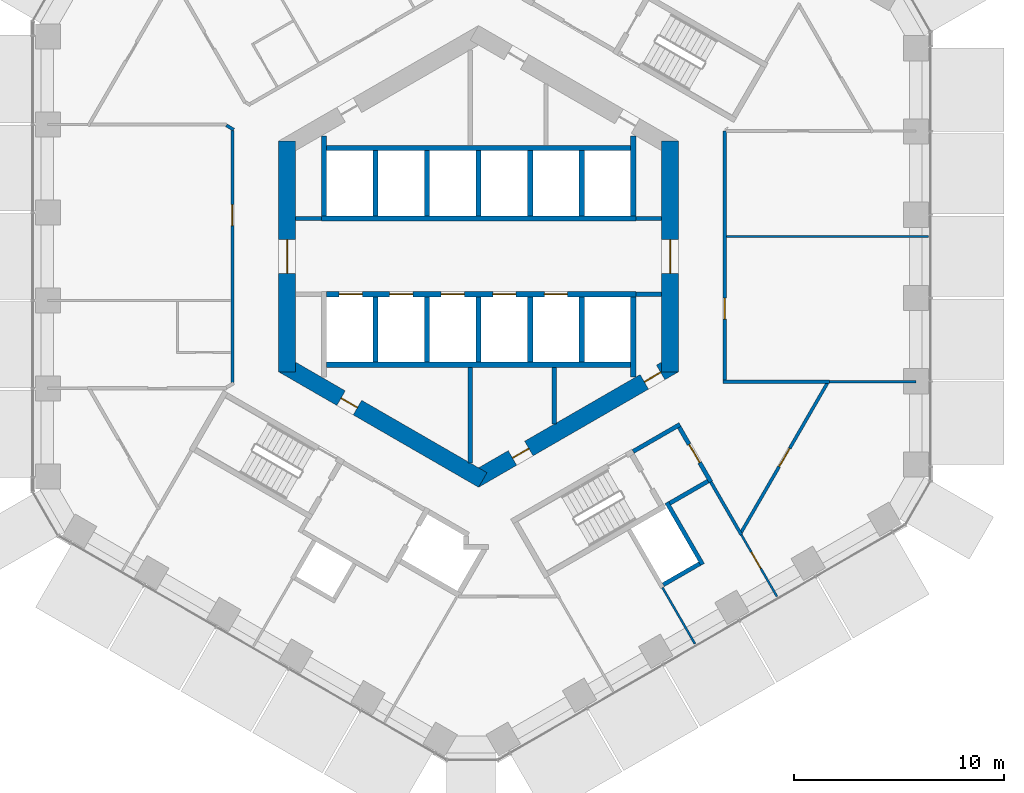
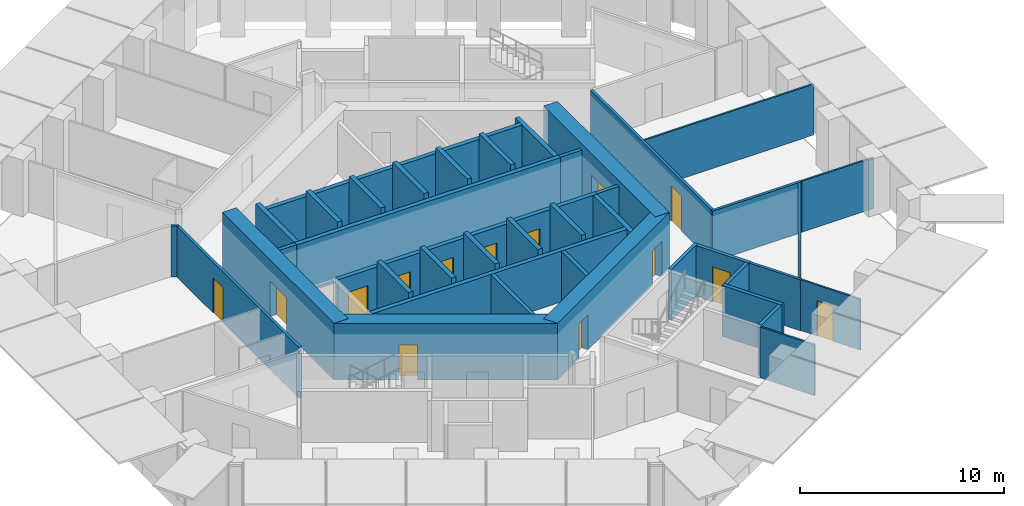
# One storey, part 13 of 19: 41 walls, 15 doors, 15 openings.
"""IFC4 building model written with IfcOpenShell, lengths in metres."""

from ifc_helpers import new_model, si_unit, direction, frame, frame_2d, origin, place, context, subcontext, project, spatial, rectangle, extrude, material, layer, layer_set, type_object, element, fill, save


model = new_model("IFC4")

# Units and contexts
model_context = context("Model", 3, precision=1e-05, world=origin(), true_north=direction((0.0, 1.0)))
body_context = subcontext(model_context, "Body", "Model", "MODEL_VIEW")
ifc_project = project(units=[si_unit("LENGTHUNIT", "METRE"), si_unit("AREAUNIT", "SQUARE_METRE"), si_unit("VOLUMEUNIT", "CUBIC_METRE"), si_unit("PLANEANGLEUNIT", "RADIAN"), si_unit("MASSUNIT", "GRAM", prefix="KILO")], contexts=[model_context])

# Site, building, storey
site_placement = place(None, origin())
site = spatial("IfcSite", under=ifc_project, at=site_placement, CompositionType="ELEMENT")
building_placement = place(site_placement, origin())
building = spatial("IfcBuilding", under=site, at=building_placement, Name="Ayvan Gate Tower", CompositionType="ELEMENT")
storey_placement = place(building_placement, frame((0.0, 0.0, 42.5)))
storey = spatial("IfcBuildingStorey", under=building, at=storey_placement, Name="L10", CompositionType="ELEMENT", Elevation=42.5)

# Wall, opening, door
ifc_material_1 = material(Name="Concrete C70/85", Category="concrete")
ifc_layer_1 = layer(ifc_material_1, 0.800048828125)
ifc_layer_set_1 = layer_set([ifc_layer_1], Name="Concrete C70/85")
wall_type_1 = type_object("IfcWallType", Name="Core wall 800 C70/85", PredefinedType="SHEAR", material=ifc_layer_set_1)
wall_1_placement = place(storey_placement, frame((9.10009765625, -5.48486328125, 0.0), z_axis=(0.0, 0.0, 1.0), x_axis=(0.0, 1.0, 0.0)))
wall_1 = element("IfcWall", 1, at=wall_1_placement, inside=storey, type_object=wall_type_1, Name="CORE-L10-0", PredefinedType="SHEAR", context=body_context, shape_type="SweptSolid", body=[
    extrude(rectangle(XDim=10.9697265625, YDim=0.800048828125, at=frame_2d((5.48486328125, 0.0))), origin(), (0.0, 0.0, 1.0), 3.39990234375),
])
opening_1_placement = place(wall_1_placement, frame((4.684814453125, 0.0, 0.0)))
opening_1 = element("IfcOpeningElement", 2, at=opening_1_placement, cuts=wall_1, Name="Opening L10-D42", PredefinedType="OPENING", context=body_context, shape_type="SweptSolid", body=[
    extrude(rectangle(XDim=1.60009765625, YDim=2.10009765625, at=frame_2d((0.800048828125, 1.050048828125))), frame((0.0, 0.409912109375, 0.0), z_axis=(0.0, -1.0, 0.0), x_axis=(1.0, 0.0, 0.0)), (0.0, 0.0, 1.0), 0.820068359375),
])
ifc_material_2 = material(Name="Timber door leaf", Category="wood")
door_type_1 = type_object("IfcDoorType", Name="DT-1600", OperationType="NOTDEFINED", PredefinedType="DOOR", material=ifc_material_2)
door_1_placement = place(opening_1_placement, origin())
door_1 = element("IfcDoor", 3, at=door_1_placement, inside=storey, type_object=door_type_1, Name="CD-L10-42", OperationType="SINGLE_SWING_RIGHT", OverallHeight=2.10009765625, OverallWidth=1.60009765625, PredefinedType="DOOR", context=body_context, shape_type="SweptSolid", body=[
    extrude(rectangle(XDim=1.60009765625, YDim=2.10009765625, at=frame_2d((0.800048828125, 1.050048828125))), frame((0.0, 0.02490234375, 0.0), z_axis=(0.0, -1.0, 0.0), x_axis=(1.0, 0.0, 0.0)), (0.0, 0.0, 1.0), 0.050048828125),
])
fill(opening_1, door_1)

wall_2_placement = place(storey_placement, frame((-9.10009765625, 5.48486328125, 0.0), z_axis=(0.0, 0.0, 1.0), x_axis=(0.0, -1.0, 0.0)))
wall_2 = element("IfcWall", 4, at=wall_2_placement, inside=storey, type_object=wall_type_1, Name="CORE-L10-3", PredefinedType="SHEAR", context=body_context, shape_type="SweptSolid", body=[
    extrude(rectangle(XDim=10.9697265625, YDim=0.800048828125, at=frame_2d((5.48486328125, 0.0))), origin(), (0.0, 0.0, 1.0), 3.39990234375),
])
opening_2_placement = place(wall_2_placement, frame((4.684814453125, 0.0, 0.0)))
opening_2 = element("IfcOpeningElement", 5, at=opening_2_placement, cuts=wall_2, Name="Opening L10-D43", PredefinedType="OPENING", context=body_context, shape_type="SweptSolid", body=[
    extrude(rectangle(XDim=1.60009765625, YDim=2.10009765625, at=frame_2d((0.800048828125, 1.050048828125))), frame((0.0, 0.409912109375, 0.0), z_axis=(0.0, -1.0, 0.0), x_axis=(1.0, 0.0, 0.0)), (0.0, 0.0, 1.0), 0.820068359375),
])
door_2_placement = place(opening_2_placement, origin())
door_2 = element("IfcDoor", 6, at=door_2_placement, inside=storey, type_object=door_type_1, Name="CD-L10-43", OperationType="SINGLE_SWING_LEFT", OverallHeight=2.10009765625, OverallWidth=1.60009765625, PredefinedType="DOOR", context=body_context, shape_type="SweptSolid", body=[
    extrude(rectangle(XDim=1.60009765625, YDim=2.10009765625, at=frame_2d((0.800048828125, 1.050048828125))), frame((0.0, 0.02490234375, 0.0), z_axis=(0.0, -1.0, 0.0), x_axis=(1.0, 0.0, 0.0)), (0.0, 0.0, 1.0), 0.050048828125),
])
fill(opening_2, door_2)

wall_3_placement = place(storey_placement, frame((-9.300048828125, -5.138427734375, 0.0), z_axis=(0.0, 0.0, 1.0), x_axis=(0.866023993627, -0.500002442456, 0.0)))
wall_3 = element("IfcWall", 7, at=wall_3_placement, inside=storey, type_object=wall_type_1, Name="CORE-L10-4", PredefinedType="SHEAR", context=body_context, shape_type="SweptSolid", body=[
    extrude(rectangle(XDim=10.9697265625, YDim=0.800048828125, at=frame_2d((5.48486328125, 0.0))), origin(), (0.0, 0.0, 1.0), 3.39990234375),
])
opening_3_placement = place(wall_3_placement, frame((3.1923828125, 0.0, 0.0)))
opening_3 = element("IfcOpeningElement", 8, at=opening_3_placement, cuts=wall_3, Name="Opening L10-D39", PredefinedType="OPENING", context=body_context, shape_type="SweptSolid", body=[
    extrude(rectangle(XDim=0.89990234375, YDim=2.10009765625, at=frame_2d((0.449951171875, 1.050048828125))), frame((0.0, 0.409912109375, 0.0), z_axis=(0.0, -1.0, 0.0), x_axis=(1.0, 0.0, 0.0)), (0.0, 0.0, 1.0), 0.820068359375),
])
door_type_2 = type_object("IfcDoorType", Name="DT-900", OperationType="NOTDEFINED", PredefinedType="DOOR", material=ifc_material_2)
door_3_placement = place(opening_3_placement, origin())
door_3 = element("IfcDoor", 9, at=door_3_placement, inside=storey, type_object=door_type_2, Name="CD-L10-39", OperationType="SINGLE_SWING_LEFT", OverallHeight=2.10009765625, OverallWidth=0.89990234375, PredefinedType="DOOR", context=body_context, shape_type="SweptSolid", body=[
    extrude(rectangle(XDim=0.89990234375, YDim=2.10009765625, at=frame_2d((0.449951171875, 1.050048828125))), frame((0.0, 0.02490234375, 0.0), z_axis=(0.0, -1.0, 0.0), x_axis=(1.0, 0.0, 0.0)), (0.0, 0.0, 1.0), 0.050048828125),
])
fill(opening_3, door_3)

# Wall, openings, doors
wall_4_placement = place(storey_placement, frame((-0.199951171875, -10.623291015625, 0.0), z_axis=(0.0, 0.0, 1.0), x_axis=(0.866023993627, 0.500002442456, 0.0)))
wall_4 = element("IfcWall", 10, at=wall_4_placement, inside=storey, type_object=wall_type_1, Name="CORE-L10-5", PredefinedType="SHEAR", context=body_context, shape_type="SweptSolid", body=[
    extrude(rectangle(XDim=10.9697265625, YDim=0.800048828125, at=frame_2d((5.48486328125, 0.0))), origin(), (0.0, 0.0, 1.0), 3.39990234375),
])
opening_4_placement = place(wall_4_placement, frame((2.0908203125, 0.0, 0.0)))
opening_4 = element("IfcOpeningElement", 11, at=opening_4_placement, cuts=wall_4, Name="Opening L10-D40", PredefinedType="OPENING", context=body_context, shape_type="SweptSolid", body=[
    extrude(rectangle(XDim=0.89990234375, YDim=2.10009765625, at=frame_2d((0.449951171875, 1.050048828125))), frame((0.0, 0.409912109375, 0.0), z_axis=(0.0, -1.0, 0.0), x_axis=(1.0, 0.0, 0.0)), (0.0, 0.0, 1.0), 0.820068359375),
])
opening_5_placement = place(wall_4_placement, frame((9.32470703125, 0.0, 0.0)))
opening_5 = element("IfcOpeningElement", 12, at=opening_5_placement, cuts=wall_4, Name="Opening L10-D41", PredefinedType="OPENING", context=body_context, shape_type="SweptSolid", body=[
    extrude(rectangle(XDim=0.89990234375, YDim=2.10009765625, at=frame_2d((0.449951171875, 1.050048828125))), frame((0.0, 0.409912109375, 0.0), z_axis=(0.0, -1.0, 0.0), x_axis=(1.0, 0.0, 0.0)), (0.0, 0.0, 1.0), 0.820068359375),
])
door_4_placement = place(opening_4_placement, origin())
door_4 = element("IfcDoor", 13, at=door_4_placement, inside=storey, type_object=door_type_2, Name="CD-L10-40", OperationType="SINGLE_SWING_RIGHT", OverallHeight=2.10009765625, OverallWidth=0.89990234375, PredefinedType="DOOR", context=body_context, shape_type="SweptSolid", body=[
    extrude(rectangle(XDim=0.89990234375, YDim=2.10009765625, at=frame_2d((0.449951171875, 1.050048828125))), frame((0.0, 0.02490234375, 0.0), z_axis=(0.0, -1.0, 0.0), x_axis=(1.0, 0.0, 0.0)), (0.0, 0.0, 1.0), 0.050048828125),
])
fill(opening_4, door_4)
door_5_placement = place(opening_5_placement, origin())
door_5 = element("IfcDoor", 14, at=door_5_placement, inside=storey, type_object=door_type_2, Name="CD-L10-41", OperationType="SINGLE_SWING_LEFT", OverallHeight=2.10009765625, OverallWidth=0.89990234375, PredefinedType="DOOR", context=body_context, shape_type="SweptSolid", body=[
    extrude(rectangle(XDim=0.89990234375, YDim=2.10009765625, at=frame_2d((0.449951171875, 1.050048828125))), frame((0.0, 0.02490234375, 0.0), z_axis=(0.0, -1.0, 0.0), x_axis=(1.0, 0.0, 0.0)), (0.0, 0.0, 1.0), 0.050048828125),
])
fill(opening_5, door_5)

# Wall
ifc_material_3 = material(Name="Plasterboard on steel stud", Category="steel")
ifc_layer_2 = layer(ifc_material_3, 0.14990234375)
ifc_layer_set_2 = layer_set([ifc_layer_2], Name="Plasterboard on steel stud")
wall_type_2 = type_object("IfcWallType", Name="WT-CORR-150", PredefinedType="PARTITIONING", material=ifc_layer_set_2)
wall_5_placement = place(storey_placement, frame((-11.635009765625, 6.024658203125, 0.0), z_axis=(0.0, 0.0, 1.0), x_axis=(-0.866034203951, 0.499984757355, 0.0)))
element("IfcWall", 15, at=wall_5_placement, inside=storey, type_object=wall_type_2, Name="IW-L10-016", PredefinedType="PARTITIONING", context=body_context, shape_type="SweptSolid", body=[
    extrude(rectangle(XDim=0.40283203125, YDim=0.14990234375, at=frame_2d((0.201416015625, 0.0))), origin(), (0.0, 0.0, 1.0), 3.050048828125),
])

# Wall, opening, door
wall_6_placement = place(storey_placement, frame((-11.699951171875, -5.9873046875, 0.0), z_axis=(0.0, 0.0, 1.0), x_axis=(0.0, 1.0, 0.0)))
wall_6 = element("IfcWall", 16, at=wall_6_placement, inside=storey, type_object=wall_type_2, Name="IW-L10-017", PredefinedType="PARTITIONING", context=body_context, shape_type="SweptSolid", body=[
    extrude(rectangle(XDim=11.974609375, YDim=0.14990234375, at=frame_2d((5.9873046875, 0.0))), origin(), (0.0, 0.0, 1.0), 3.050048828125),
])
opening_6_placement = place(wall_6_placement, frame((7.451904296875, 0.0, 0.0)))
opening_6 = element("IfcOpeningElement", 17, at=opening_6_placement, cuts=wall_6, Name="Opening L10-D22", PredefinedType="OPENING", context=body_context, shape_type="SweptSolid", body=[
    extrude(rectangle(XDim=1.0, YDim=2.10009765625, at=frame_2d((0.5, 1.050048828125))), frame((0.0, 0.0849609375, 0.0), z_axis=(0.0, -1.0, 0.0), x_axis=(1.0, 0.0, 0.0)), (0.0, 0.0, 1.0), 0.169921875),
])
door_type_3 = type_object("IfcDoorType", Name="DT-1000", OperationType="NOTDEFINED", PredefinedType="DOOR", material=ifc_material_2)
door_6_placement = place(opening_6_placement, origin())
door_6 = element("IfcDoor", 18, at=door_6_placement, inside=storey, type_object=door_type_3, Name="ID-L10-022", OperationType="SINGLE_SWING_RIGHT", OverallHeight=2.10009765625, OverallWidth=1.0, PredefinedType="DOOR", context=body_context, shape_type="SweptSolid", body=[
    extrude(rectangle(XDim=1.0, YDim=2.10009765625, at=frame_2d((0.5, 1.050048828125))), frame((0.0, 0.02490234375, 0.0), z_axis=(0.0, -1.0, 0.0), x_axis=(1.0, 0.0, 0.0)), (0.0, 0.0, 1.0), 0.050048828125),
])
fill(opening_6, door_6)

# Wall
wall_7_placement = place(storey_placement, frame((11.625, -5.955078125, 0.0), z_axis=(0.0, 0.0, 1.0), x_axis=(1.0, 0.0, 0.0)))
element("IfcWall", 19, at=wall_7_placement, inside=storey, type_object=wall_type_2, Name="IW-L10-100", PredefinedType="PARTITIONING", context=body_context, shape_type="SweptSolid", body=[
    extrude(rectangle(XDim=5.062744140625, YDim=0.14990234375, at=frame_2d((2.53125, 0.0))), origin(), (0.0, 0.0, 1.0), 3.050048828125),
])

# Wall, opening, door
wall_8_placement = place(storey_placement, frame((11.699951171875, -5.880126953125, 0.0), z_axis=(0.0, 0.0, 1.0), x_axis=(0.0, 1.0, 0.0)))
wall_8 = element("IfcWall", 20, at=wall_8_placement, inside=storey, type_object=wall_type_2, Name="IW-L10-101", PredefinedType="PARTITIONING", context=body_context, shape_type="SweptSolid", body=[
    extrude(rectangle(XDim=11.83544921875, YDim=0.14990234375, at=frame_2d((5.917724609375, 0.0))), origin(), (0.0, 0.0, 1.0), 3.050048828125),
])
opening_7_placement = place(wall_8_placement, frame((2.901611328125, 0.0, 0.0)))
opening_7 = element("IfcOpeningElement", 21, at=opening_7_placement, cuts=wall_8, Name="Opening L10-D17", PredefinedType="OPENING", context=body_context, shape_type="SweptSolid", body=[
    extrude(rectangle(XDim=1.0, YDim=2.10009765625, at=frame_2d((0.5, 1.050048828125))), frame((0.0, 0.0849609375, 0.0), z_axis=(0.0, -1.0, 0.0), x_axis=(1.0, 0.0, 0.0)), (0.0, 0.0, 1.0), 0.169921875),
])
door_7_placement = place(opening_7_placement, origin())
door_7 = element("IfcDoor", 22, at=door_7_placement, inside=storey, type_object=door_type_3, Name="ID-L10-017", OperationType="SINGLE_SWING_LEFT", OverallHeight=2.10009765625, OverallWidth=1.0, PredefinedType="DOOR", context=body_context, shape_type="SweptSolid", body=[
    extrude(rectangle(XDim=1.0, YDim=2.10009765625, at=frame_2d((0.5, 1.050048828125))), frame((0.0, 0.02490234375, 0.0), z_axis=(0.0, -1.0, 0.0), x_axis=(1.0, 0.0, 0.0)), (0.0, 0.0, 1.0), 0.050048828125),
])
fill(opening_7, door_7)

# Wall
wall_9_placement = place(storey_placement, frame((12.48779296875, -13.2294921875, 0.0), z_axis=(0.0, 0.0, 1.0), x_axis=(-0.499967707918, 0.866044046824, 0.0)))
element("IfcWall", 23, at=wall_9_placement, inside=storey, type_object=wall_type_2, Name="IW-L10-104", PredefinedType="PARTITIONING", context=body_context, shape_type="SweptSolid", body=[
    extrude(rectangle(XDim=2.901123046875, YDim=0.14990234375, at=frame_2d((1.45068359375, 0.0))), origin(), (0.0, 0.0, 1.0), 3.050048828125),
])

# Wall, opening, door
wall_10_placement = place(storey_placement, frame((16.5751953125, -6.02001953125, 0.0), z_axis=(0.0, 0.0, 1.0), x_axis=(-0.49999993043, -0.86602544395, 0.0)))
wall_10 = element("IfcWall", 24, at=wall_10_placement, inside=storey, type_object=wall_type_2, Name="IW-L10-109", PredefinedType="PARTITIONING", context=body_context, shape_type="SweptSolid", body=[
    extrude(rectangle(XDim=8.1748046875, YDim=0.14990234375, at=frame_2d((4.08740234375, 0.0))), origin(), (0.0, 0.0, 1.0), 3.050048828125),
])
opening_8_placement = place(wall_10_placement, frame((3.58740234375, 0.0, 0.0)))
opening_8 = element("IfcOpeningElement", 25, at=opening_8_placement, cuts=wall_10, Name="Opening L10-D30", PredefinedType="OPENING", context=body_context, shape_type="SweptSolid", body=[
    extrude(rectangle(XDim=1.0, YDim=2.10009765625, at=frame_2d((0.5, 1.050048828125))), frame((0.0, 0.0849609375, 0.0), z_axis=(0.0, -1.0, 0.0), x_axis=(1.0, 0.0, 0.0)), (0.0, 0.0, 1.0), 0.169921875),
])
door_8_placement = place(opening_8_placement, origin())
door_8 = element("IfcDoor", 26, at=door_8_placement, inside=storey, type_object=door_type_3, Name="ID-L10-030", OperationType="SINGLE_SWING_RIGHT", OverallHeight=2.10009765625, OverallWidth=1.0, PredefinedType="DOOR", context=body_context, shape_type="SweptSolid", body=[
    extrude(rectangle(XDim=1.0, YDim=2.10009765625, at=frame_2d((0.5, 1.050048828125))), frame((0.0, 0.02490234375, 0.0), z_axis=(0.0, -1.0, 0.0), x_axis=(1.0, 0.0, 0.0)), (0.0, 0.0, 1.0), 0.050048828125),
])
fill(opening_8, door_8)

# Walls
ifc_layer_3 = layer(ifc_material_3, 0.10009765625)
ifc_layer_set_3 = layer_set([ifc_layer_3], Name="Plasterboard on steel stud")
wall_type_3 = type_object("IfcWallType", Name="WT-PART-100", PredefinedType="PARTITIONING", material=ifc_layer_set_3)
wall_11_placement = place(storey_placement, frame((8.739990234375, -15.73828125, 0.0), z_axis=(0.0, 0.0, 1.0), x_axis=(0.499987416453, -0.866032668777, 0.0)))
element("IfcWall", 27, at=wall_11_placement, inside=storey, type_object=wall_type_3, Name="IW-L10-092", PredefinedType="PARTITIONING", context=body_context, shape_type="SweptSolid", body=[
    extrude(rectangle(XDim=3.083984375, YDim=0.10009765625, at=frame_2d((1.5419921875, 0.0))), origin(), (0.0, 0.0, 1.0), 3.050048828125),
])
wall_12_placement = place(storey_placement, frame((11.77490234375, 0.952880859375, 0.0), z_axis=(0.0, 0.0, 1.0), x_axis=(1.0, 0.0, 0.0)))
element("IfcWall", 28, at=wall_12_placement, inside=storey, type_object=wall_type_3, Name="IW-L10-102", PredefinedType="PARTITIONING", context=body_context, shape_type="SweptSolid", body=[
    extrude(rectangle(XDim=9.605712890625, YDim=0.10009765625, at=frame_2d((4.802734375, 0.0))), origin(), (0.0, 0.0, 1.0), 3.050048828125),
])

# Wall, opening, door
wall_13_placement = place(storey_placement, frame((14.17919921875, -16.1591796875, 0.0), z_axis=(0.0, 0.0, 1.0), x_axis=(-0.499988999718, 0.866031754707, 0.0)))
wall_13 = element("IfcWall", 29, at=wall_13_placement, inside=storey, type_object=wall_type_3, Name="IW-L10-107", PredefinedType="PARTITIONING", context=body_context, shape_type="SweptSolid", body=[
    extrude(rectangle(XDim=3.3828125, YDim=0.10009765625, at=frame_2d((1.69140625, 0.0))), origin(), (0.0, 0.0, 1.0), 3.050048828125),
])
opening_9_placement = place(wall_13_placement, frame((1.539306640625, 0.0, 0.0)))
opening_9 = element("IfcOpeningElement", 30, at=opening_9_placement, cuts=wall_13, Name="Opening L10-D31", PredefinedType="OPENING", context=body_context, shape_type="SweptSolid", body=[
    extrude(rectangle(XDim=0.89990234375, YDim=2.10009765625, at=frame_2d((0.449951171875, 1.050048828125))), frame((0.0, 0.06005859375, 0.0), z_axis=(0.0, -1.0, 0.0), x_axis=(1.0, 0.0, 0.0)), (0.0, 0.0, 1.0), 0.1201171875),
])
door_9_placement = place(opening_9_placement, origin())
door_9 = element("IfcDoor", 31, at=door_9_placement, inside=storey, type_object=door_type_2, Name="ID-L10-031", OperationType="SINGLE_SWING_LEFT", OverallHeight=2.10009765625, OverallWidth=0.89990234375, PredefinedType="DOOR", context=body_context, shape_type="SweptSolid", body=[
    extrude(rectangle(XDim=0.89990234375, YDim=2.10009765625, at=frame_2d((0.449951171875, 1.050048828125))), frame((0.0, 0.02490234375, 0.0), z_axis=(0.0, -1.0, 0.0), x_axis=(1.0, 0.0, 0.0)), (0.0, 0.0, 1.0), 0.050048828125),
])
fill(opening_9, door_9)

# Walls
wall_14_placement = place(storey_placement, frame((20.78466796875, -5.955078125, 0.0), z_axis=(0.0, 0.0, 1.0), x_axis=(-1.0, 0.0, 0.0)))
element("IfcWall", 32, at=wall_14_placement, inside=storey, type_object=wall_type_3, Name="IW-L10-112", PredefinedType="PARTITIONING", context=body_context, shape_type="SweptSolid", body=[
    extrude(rectangle(XDim=4.096923828125, YDim=0.10009765625, at=frame_2d((2.04833984375, 0.0))), origin(), (0.0, 0.0, 1.0), 3.050048828125),
])
ifc_layer_4 = layer(ifc_material_3, 0.199951171875)
ifc_layer_set_4 = layer_set([ifc_layer_4], Name="Plasterboard on steel stud")
wall_type_4 = type_object("IfcWallType", Name="WT-PLUMB-200", PredefinedType="PLUMBINGWALL", material=ifc_layer_set_4)
wall_15_placement = place(storey_placement, frame((8.9453125, -11.694091796875, 0.0), z_axis=(0.0, 0.0, 1.0), x_axis=(0.500062241894, -0.865989465428, 0.0)))
element("IfcWall", 33, at=wall_15_placement, inside=storey, type_object=wall_type_4, Name="IW-L10-095", PredefinedType="PLUMBINGWALL", context=body_context, shape_type="SweptSolid", body=[
    extrude(rectangle(XDim=3.39990234375, YDim=0.199951171875, at=frame_2d((1.699951171875, 0.0))), origin(), (0.0, 0.0, 1.0), 3.050048828125),
])
wall_16_placement = place(storey_placement, frame((10.5087890625, -14.601806640625, 0.0), z_axis=(0.0, 0.0, 1.0), x_axis=(-0.866010750942, -0.50002537861, 0.0)))
element("IfcWall", 34, at=wall_16_placement, inside=storey, type_object=wall_type_4, Name="IW-L10-098", PredefinedType="PLUMBINGWALL", context=body_context, shape_type="SweptSolid", body=[
    extrude(rectangle(XDim=2.0, YDim=0.199951171875, at=frame_2d((1.0, 0.0))), origin(), (0.0, 0.0, 1.0), 3.050048828125),
])
ifc_layer_5 = layer(ifc_material_3, 0.199951171875)
ifc_layer_set_5 = layer_set([ifc_layer_5], Name="Plasterboard on steel stud")
wall_type_5 = type_object("IfcWallType", Name="WT-RATED-200", PredefinedType="PARTITIONING", material=ifc_layer_set_5)
wall_17_placement = place(storey_placement, frame((-8.699951171875, 1.800048828125, 0.0), z_axis=(0.0, 0.0, 1.0), x_axis=(1.0, 0.0, 0.0)))
element("IfcWall", 35, at=wall_17_placement, inside=storey, type_object=wall_type_5, Name="IW-L10-024", PredefinedType="PARTITIONING", context=body_context, shape_type="SweptSolid", body=[
    extrude(rectangle(XDim=1.22509765625, YDim=0.199951171875, at=frame_2d((0.612548828125, 0.0))), origin(), (0.0, 0.0, 1.0), 3.050048828125),
])
wall_18_placement = place(storey_placement, frame((-0.39990234375, -5.27490234375, 0.0), z_axis=(0.0, 0.0, 1.0), x_axis=(0.0, -1.0, 0.0)))
element("IfcWall", 36, at=wall_18_placement, inside=storey, type_object=wall_type_5, Name="IW-L10-056", PredefinedType="PARTITIONING", context=body_context, shape_type="SweptSolid", body=[
    extrude(rectangle(XDim=4.5400390625, YDim=0.199951171875, at=frame_2d((2.27001953125, 0.0))), origin(), (0.0, 0.0, 1.0), 3.050048828125),
])
wall_19_placement = place(storey_placement, frame((3.60009765625, -5.27490234375, 0.0), z_axis=(0.0, 0.0, 1.0), x_axis=(0.0, -1.0, 0.0)))
element("IfcWall", 37, at=wall_19_placement, inside=storey, type_object=wall_type_5, Name="IW-L10-074", PredefinedType="PARTITIONING", context=body_context, shape_type="SweptSolid", body=[
    extrude(rectangle(XDim=2.6923828125, YDim=0.199951171875, at=frame_2d((1.34619140625, 0.0))), origin(), (0.0, 0.0, 1.0), 3.050048828125),
])
wall_20_placement = place(storey_placement, frame((7.343994140625, -9.27001953125, 0.0), z_axis=(0.0, 0.0, 1.0), x_axis=(0.866005588531, 0.500034319456, 0.0)))
element("IfcWall", 38, at=wall_20_placement, inside=storey, type_object=wall_type_5, Name="IW-L10-085", PredefinedType="PARTITIONING", context=body_context, shape_type="SweptSolid", body=[
    extrude(rectangle(XDim=2.574951171875, YDim=0.199951171875, at=frame_2d((1.28759765625, 0.0))), origin(), (0.0, 0.0, 1.0), 3.050048828125),
])
for number, where, z_axis, x_axis, name in (
    (39, (7.474853515625, 1.800048828125, 0.0), (0.0, 0.0, 1.0), (1.0, 0.0, 0.0), "IW-L10-086"),
    (40, (8.699951171875, -1.800048828125, 0.0), (0.0, 0.0, 1.0), (-1.0, 0.0, 0.0), "IW-L10-094"),
):
    element("IfcWall", number, at=place(storey_placement, frame(where, z_axis=z_axis, x_axis=x_axis)), inside=storey, type_object=wall_type_5, Name=name, PredefinedType="PARTITIONING", context=body_context, shape_type="SweptSolid", body=[
        extrude(rectangle(XDim=1.22509765625, YDim=0.199951171875, at=frame_2d((0.612548828125, 0.0))), origin(), (0.0, 0.0, 1.0), 3.050048828125),
    ])

# Wall, opening, door
wall_21_placement = place(storey_placement, frame((9.537353515625, -8.119140625, 0.0), z_axis=(0.0, 0.0, 1.0), x_axis=(0.499990139034, -0.866031096941, 0.0)))
wall_21 = element("IfcWall", 41, at=wall_21_placement, inside=storey, type_object=wall_type_5, Name="IW-L10-097", PredefinedType="PARTITIONING", context=body_context, shape_type="SweptSolid", body=[
    extrude(rectangle(XDim=3.0, YDim=0.199951171875, at=frame_2d((1.5, 0.0))), origin(), (0.0, 0.0, 1.0), 3.050048828125),
])
opening_10_placement = place(wall_21_placement, frame((0.93505859375, 0.0, 0.0)))
opening_10 = element("IfcOpeningElement", 42, at=opening_10_placement, cuts=wall_21, Name="Opening L10-D15", PredefinedType="OPENING", context=body_context, shape_type="SweptSolid", body=[
    extrude(rectangle(XDim=1.0, YDim=2.10009765625, at=frame_2d((0.5, 1.050048828125))), frame((0.0, 0.10986328125, 0.0), z_axis=(0.0, -1.0, 0.0), x_axis=(1.0, 0.0, 0.0)), (0.0, 0.0, 1.0), 0.219970703125),
])
door_10_placement = place(opening_10_placement, origin())
door_10 = element("IfcDoor", 43, at=door_10_placement, inside=storey, type_object=door_type_3, Name="ID-L10-015", OperationType="SINGLE_SWING_LEFT", OverallHeight=2.10009765625, OverallWidth=1.0, PredefinedType="DOOR", context=body_context, shape_type="SweptSolid", body=[
    extrude(rectangle(XDim=1.0, YDim=2.10009765625, at=frame_2d((0.5, 1.050048828125))), frame((0.0, 0.02490234375, 0.0), z_axis=(0.0, -1.0, 0.0), x_axis=(1.0, 0.0, 0.0)), (0.0, 0.0, 1.0), 0.050048828125),
])
fill(opening_10, door_10)

# Walls
wall_22_placement = place(storey_placement, frame((10.900634765625, -10.6806640625, 0.0), z_axis=(0.0, 0.0, 1.0), x_axis=(-0.866009402589, -0.500027713859, 0.0)))
element("IfcWall", 44, at=wall_22_placement, inside=storey, type_object=wall_type_5, Name="IW-L10-099", PredefinedType="PARTITIONING", context=body_context, shape_type="SweptSolid", body=[
    extrude(rectangle(XDim=2.10009765625, YDim=0.199951171875, at=frame_2d((1.050048828125, 0.0))), origin(), (0.0, 0.0, 1.0), 3.050048828125),
])
ifc_material_4 = material(Name="Concrete C50/60", Category="concrete")
ifc_layer_6 = layer(ifc_material_4, 0.25)
ifc_layer_set_6 = layer_set([ifc_layer_6], Name="Concrete C50/60")
wall_type_6 = type_object("IfcWallType", Name="WT-RC-250", PredefinedType="SHEAR", material=ifc_layer_set_6)
wall_23_placement = place(storey_placement, frame((-7.47509765625, 1.800048828125, 0.0), z_axis=(0.0, 0.0, 1.0), x_axis=(1.0, 0.0, 0.0)))
element("IfcWall", 45, at=wall_23_placement, inside=storey, type_object=wall_type_6, Name="IW-L10-029", PredefinedType="SHEAR", context=body_context, shape_type="SweptSolid", body=[
    extrude(rectangle(XDim=14.9501953125, YDim=0.25, at=frame_2d((7.47509765625, 0.0))), origin(), (0.0, 0.0, 1.0), 3.050048828125),
])
wall_24_placement = place(storey_placement, frame((-7.35009765625, 1.925048828125, 0.0), z_axis=(0.0, 0.0, 1.0), x_axis=(0.0, 1.0, 0.0)))
element("IfcWall", 46, at=wall_24_placement, inside=storey, type_object=wall_type_6, Name="IW-L10-031", PredefinedType="SHEAR", context=body_context, shape_type="SweptSolid", body=[
    extrude(rectangle(XDim=3.80517578125, YDim=0.25, at=frame_2d((1.902587890625, 0.0))), origin(), (0.0, 0.0, 1.0), 3.050048828125),
])
for number, where, z_axis, x_axis, name in (
    (47, (-7.22509765625, 5.14990234375, 0.0), (0.0, 0.0, 1.0), (1.0, 0.0, 0.0), "IW-L10-032"),
    (48, (-7.22509765625, -5.14990234375, 0.0), (0.0, 0.0, 1.0), (1.0, 0.0, 0.0), "IW-L10-038"),
):
    element("IfcWall", number, at=place(storey_placement, frame(where, z_axis=z_axis, x_axis=x_axis)), inside=storey, type_object=wall_type_6, Name=name, PredefinedType="SHEAR", context=body_context, shape_type="SweptSolid", body=[
        extrude(rectangle(XDim=14.7001953125, YDim=0.25, at=frame_2d((7.35009765625, 0.0))), origin(), (0.0, 0.0, 1.0), 3.050048828125),
    ])
for number, where, z_axis, x_axis, name in (
    (49, (-4.89990234375, -1.925048828125, 0.0), (0.0, 0.0, 1.0), (0.0, -1.0, 0.0), "IW-L10-039"),
    (50, (-4.89990234375, 5.02490234375, 0.0), (0.0, 0.0, 1.0), (0.0, -1.0, 0.0), "IW-L10-040"),
):
    element("IfcWall", number, at=place(storey_placement, frame(where, z_axis=z_axis, x_axis=x_axis)), inside=storey, type_object=wall_type_6, Name=name, PredefinedType="SHEAR", context=body_context, shape_type="SweptSolid", body=[
        extrude(rectangle(XDim=3.099853515625, YDim=0.25, at=frame_2d((1.5498046875, 0.0))), origin(), (0.0, 0.0, 1.0), 3.39990234375),
    ])

# Wall, openings, doors
wall_25_placement = place(storey_placement, frame((-7.22509765625, -1.800048828125, 0.0), z_axis=(0.0, 0.0, 1.0), x_axis=(1.0, 0.0, 0.0)))
wall_25 = element("IfcWall", 51, at=wall_25_placement, inside=storey, type_object=wall_type_6, Name="IW-L10-041", PredefinedType="SHEAR", context=body_context, shape_type="SweptSolid", body=[
    extrude(rectangle(XDim=14.7001953125, YDim=0.25, at=frame_2d((7.35009765625, 0.0))), origin(), (0.0, 0.0, 1.0), 3.050048828125),
])
opening_11_placement = place(wall_25_placement, frame((0.597412109375, 0.0, 0.0)))
opening_11 = element("IfcOpeningElement", 52, at=opening_11_placement, cuts=wall_25, Name="Opening L10-LD-LR1", PredefinedType="OPENING", context=body_context, shape_type="SweptSolid", body=[
    extrude(rectangle(XDim=1.10009765625, YDim=2.10009765625, at=frame_2d((0.550048828125, 1.050048828125))), frame((0.0, 0.135009765625, 0.0), z_axis=(0.0, -1.0, 0.0), x_axis=(1.0, 0.0, 0.0)), (0.0, 0.0, 1.0), 0.27001953125),
])
opening_12_placement = place(wall_25_placement, frame((3.0, 0.0, 0.0)))
opening_12 = element("IfcOpeningElement", 53, at=opening_12_placement, cuts=wall_25, Name="Opening L10-LD-LR2", PredefinedType="OPENING", context=body_context, shape_type="SweptSolid", body=[
    extrude(rectangle(XDim=1.10009765625, YDim=2.10009765625, at=frame_2d((0.550048828125, 1.050048828125))), frame((0.0, 0.135009765625, 0.0), z_axis=(0.0, -1.0, 0.0), x_axis=(1.0, 0.0, 0.0)), (0.0, 0.0, 1.0), 0.27001953125),
])
opening_13_placement = place(wall_25_placement, frame((5.4501953125, 0.0, 0.0)))
opening_13 = element("IfcOpeningElement", 54, at=opening_13_placement, cuts=wall_25, Name="Opening L10-LD-LR3", PredefinedType="OPENING", context=body_context, shape_type="SweptSolid", body=[
    extrude(rectangle(XDim=1.10009765625, YDim=2.10009765625, at=frame_2d((0.550048828125, 1.050048828125))), frame((0.0, 0.135009765625, 0.0), z_axis=(0.0, -1.0, 0.0), x_axis=(1.0, 0.0, 0.0)), (0.0, 0.0, 1.0), 0.27001953125),
])
opening_14_placement = place(wall_25_placement, frame((7.900146484375, 0.0, 0.0)))
opening_14 = element("IfcOpeningElement", 55, at=opening_14_placement, cuts=wall_25, Name="Opening L10-LD-LR4", PredefinedType="OPENING", context=body_context, shape_type="SweptSolid", body=[
    extrude(rectangle(XDim=1.10009765625, YDim=2.10009765625, at=frame_2d((0.550048828125, 1.050048828125))), frame((0.0, 0.135009765625, 0.0), z_axis=(0.0, -1.0, 0.0), x_axis=(1.0, 0.0, 0.0)), (0.0, 0.0, 1.0), 0.27001953125),
])
opening_15_placement = place(wall_25_placement, frame((10.35009765625, 0.0, 0.0)))
opening_15 = element("IfcOpeningElement", 56, at=opening_15_placement, cuts=wall_25, Name="Opening L10-LD-SV", PredefinedType="OPENING", context=body_context, shape_type="SweptSolid", body=[
    extrude(rectangle(XDim=1.10009765625, YDim=2.10009765625, at=frame_2d((0.550048828125, 1.050048828125))), frame((0.0, 0.135009765625, 0.0), z_axis=(0.0, -1.0, 0.0), x_axis=(1.0, 0.0, 0.0)), (0.0, 0.0, 1.0), 0.27001953125),
])
ifc_material_5 = material(Name="Stainless steel landing door", Category="steel")
door_type_4 = type_object("IfcDoorType", Name="DT-LANDING-1100", OperationType="SLIDING_TO_LEFT", PredefinedType="DOOR", material=ifc_material_5)
door_11_placement = place(opening_11_placement, origin())
door_11 = element("IfcDoor", 57, at=door_11_placement, inside=storey, type_object=door_type_4, Name="ID-L10-001", OperationType="SLIDING_TO_LEFT", OverallHeight=2.10009765625, OverallWidth=1.10009765625, PredefinedType="DOOR", context=body_context, shape_type="SweptSolid", body=[
    extrude(rectangle(XDim=1.10009765625, YDim=2.10009765625, at=frame_2d((0.550048828125, 1.050048828125))), frame((0.0, 0.02490234375, 0.0), z_axis=(0.0, -1.0, 0.0), x_axis=(1.0, 0.0, 0.0)), (0.0, 0.0, 1.0), 0.050048828125),
])
fill(opening_11, door_11)
door_12_placement = place(opening_12_placement, origin())
door_12 = element("IfcDoor", 58, at=door_12_placement, inside=storey, type_object=door_type_4, Name="ID-L10-002", OperationType="SLIDING_TO_LEFT", OverallHeight=2.10009765625, OverallWidth=1.10009765625, PredefinedType="DOOR", context=body_context, shape_type="SweptSolid", body=[
    extrude(rectangle(XDim=1.10009765625, YDim=2.10009765625, at=frame_2d((0.550048828125, 1.050048828125))), frame((0.0, 0.02490234375, 0.0), z_axis=(0.0, -1.0, 0.0), x_axis=(1.0, 0.0, 0.0)), (0.0, 0.0, 1.0), 0.050048828125),
])
fill(opening_12, door_12)
door_13_placement = place(opening_13_placement, origin())
door_13 = element("IfcDoor", 59, at=door_13_placement, inside=storey, type_object=door_type_4, Name="ID-L10-003", OperationType="SLIDING_TO_LEFT", OverallHeight=2.10009765625, OverallWidth=1.10009765625, PredefinedType="DOOR", context=body_context, shape_type="SweptSolid", body=[
    extrude(rectangle(XDim=1.10009765625, YDim=2.10009765625, at=frame_2d((0.550048828125, 1.050048828125))), frame((0.0, 0.02490234375, 0.0), z_axis=(0.0, -1.0, 0.0), x_axis=(1.0, 0.0, 0.0)), (0.0, 0.0, 1.0), 0.050048828125),
])
fill(opening_13, door_13)
door_14_placement = place(opening_14_placement, origin())
door_14 = element("IfcDoor", 60, at=door_14_placement, inside=storey, type_object=door_type_4, Name="ID-L10-004", OperationType="SLIDING_TO_LEFT", OverallHeight=2.10009765625, OverallWidth=1.10009765625, PredefinedType="DOOR", context=body_context, shape_type="SweptSolid", body=[
    extrude(rectangle(XDim=1.10009765625, YDim=2.10009765625, at=frame_2d((0.550048828125, 1.050048828125))), frame((0.0, 0.02490234375, 0.0), z_axis=(0.0, -1.0, 0.0), x_axis=(1.0, 0.0, 0.0)), (0.0, 0.0, 1.0), 0.050048828125),
])
fill(opening_14, door_14)
door_15_placement = place(opening_15_placement, origin())
door_15 = element("IfcDoor", 61, at=door_15_placement, inside=storey, type_object=door_type_4, Name="ID-L10-005", OperationType="SLIDING_TO_LEFT", OverallHeight=2.10009765625, OverallWidth=1.10009765625, PredefinedType="DOOR", context=body_context, shape_type="SweptSolid", body=[
    extrude(rectangle(XDim=1.10009765625, YDim=2.10009765625, at=frame_2d((0.550048828125, 1.050048828125))), frame((0.0, 0.02490234375, 0.0), z_axis=(0.0, -1.0, 0.0), x_axis=(1.0, 0.0, 0.0)), (0.0, 0.0, 1.0), 0.050048828125),
])
fill(opening_15, door_15)

# Walls
for number, where, z_axis, x_axis, name in (
    (62, (-2.449951171875, -1.925048828125, 0.0), (0.0, 0.0, 1.0), (0.0, -1.0, 0.0), "IW-L10-049"),
    (63, (-2.449951171875, 5.02490234375, 0.0), (0.0, 0.0, 1.0), (0.0, -1.0, 0.0), "IW-L10-050"),
    (64, (0.0, -1.925048828125, 0.0), (0.0, 0.0, 1.0), (0.0, -1.0, 0.0), "IW-L10-059"),
    (65, (0.0, 5.02490234375, 0.0), (0.0, 0.0, 1.0), (0.0, -1.0, 0.0), "IW-L10-060"),
    (66, (2.449951171875, -1.925048828125, 0.0), (0.0, 0.0, 1.0), (0.0, -1.0, 0.0), "IW-L10-067"),
    (67, (2.449951171875, 5.02490234375, 0.0), (0.0, 0.0, 1.0), (0.0, -1.0, 0.0), "IW-L10-068"),
    (68, (4.89990234375, -1.925048828125, 0.0), (0.0, 0.0, 1.0), (0.0, -1.0, 0.0), "IW-L10-079"),
    (69, (4.89990234375, 5.02490234375, 0.0), (0.0, 0.0, 1.0), (0.0, -1.0, 0.0), "IW-L10-080"),
):
    element("IfcWall", number, at=place(storey_placement, frame(where, z_axis=z_axis, x_axis=x_axis)), inside=storey, type_object=wall_type_6, Name=name, PredefinedType="SHEAR", context=body_context, shape_type="SweptSolid", body=[
        extrude(rectangle(XDim=3.099853515625, YDim=0.25, at=frame_2d((1.5498046875, 0.0))), origin(), (0.0, 0.0, 1.0), 3.39990234375),
    ])
for number, where, z_axis, x_axis, name in (
    (70, (7.35009765625, -1.925048828125, 0.0), (0.0, 0.0, 1.0), (0.0, -1.0, 0.0), "IW-L10-087"),
    (71, (7.35009765625, 5.730224609375, 0.0), (0.0, 0.0, 1.0), (0.0, -1.0, 0.0), "IW-L10-088"),
):
    element("IfcWall", number, at=place(storey_placement, frame(where, z_axis=z_axis, x_axis=x_axis)), inside=storey, type_object=wall_type_6, Name=name, PredefinedType="SHEAR", context=body_context, shape_type="SweptSolid", body=[
        extrude(rectangle(XDim=3.80517578125, YDim=0.25, at=frame_2d((1.902587890625, 0.0))), origin(), (0.0, 0.0, 1.0), 3.050048828125),
    ])

save(model, "model.ifc")
